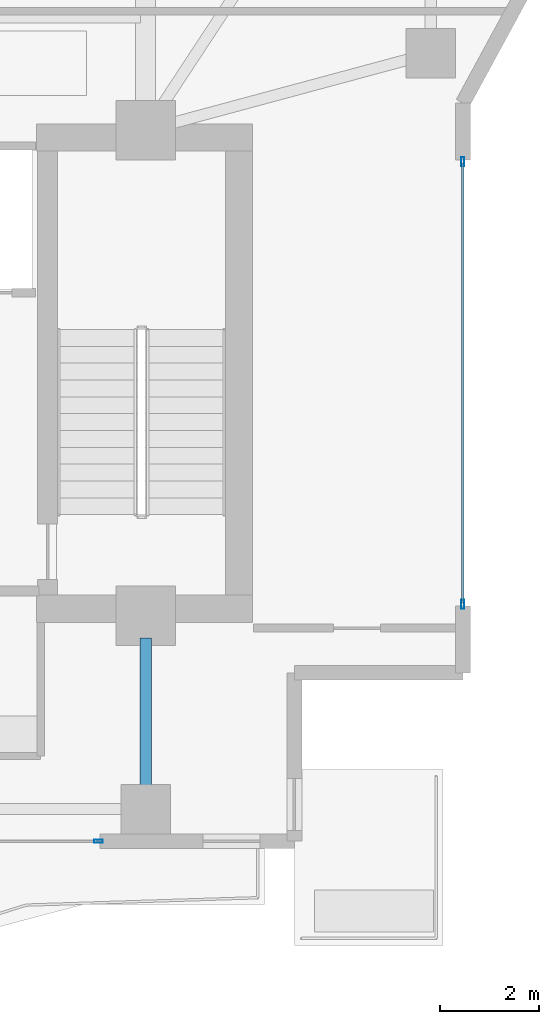
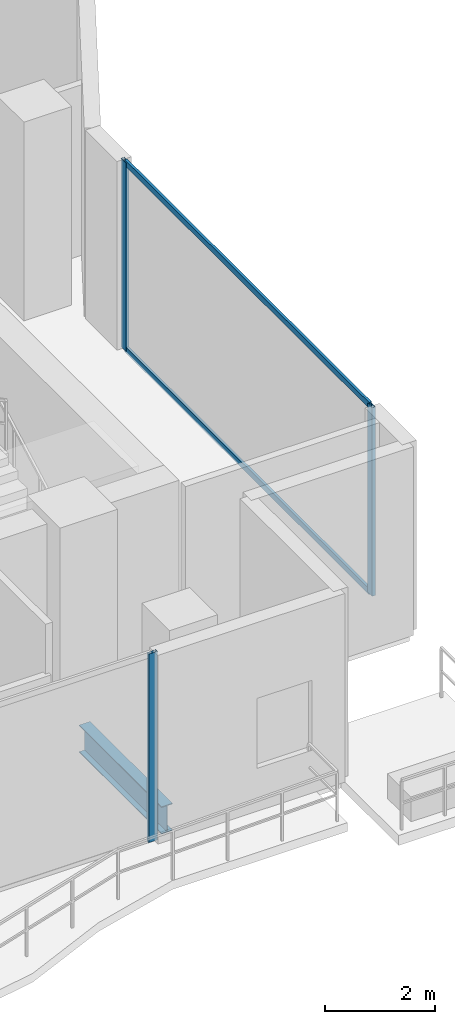
# One storey, part 8 of 23: 5 members, 1 beam, 2 elements without a shape of their own.
"""IFC4 building model written with IfcOpenShell, lengths in metres."""

from ifc_helpers import new_model, si_unit, direction, frame, origin, origin_2d, place, context, subcontext, project, spatial, hollow_rectangle, i_section, extrude, material, layer, layer_set, material_profile, profile_set, type_object, element, aggregate, save


model = new_model("IFC4")

# Units and contexts
model_context = context("Model", 3, precision=1e-05, world=origin(), true_north=direction((0.0, 1.0)))
body_context = subcontext(model_context, "Body", "Model", "MODEL_VIEW")
ifc_project = project(units=[si_unit("LENGTHUNIT", "METRE"), si_unit("AREAUNIT", "SQUARE_METRE"), si_unit("VOLUMEUNIT", "CUBIC_METRE"), si_unit("PLANEANGLEUNIT", "RADIAN"), si_unit("MASSUNIT", "GRAM", prefix="KILO")], contexts=[model_context])

# Site, building, storey
site_placement = place(None, origin())
site = spatial("IfcSite", under=ifc_project, at=site_placement, CompositionType="ELEMENT")
building_placement = place(site_placement, origin())
building = spatial("IfcBuilding", under=site, at=building_placement, Name="Zuhayl Quay Hotel", CompositionType="ELEMENT")
storey_placement = place(building_placement, frame((0.0, 0.0, 288.449951171875)))
storey = spatial("IfcBuildingStorey", under=building, at=storey_placement, Name="L73", CompositionType="ELEMENT", Elevation=288.449951171875)

# Beam
ifc_material_1 = material(Name="Steel ASTM A992 Grade 50", Category="steel")
ifc_material_profile_1 = material_profile(ifc_material_1, i_section(OverallWidth=0.22802734375, OverallDepth=0.60693359375, WebThickness=0.01123046875, FlangeThickness=0.017333984375, at=origin_2d()), Name="W24X76")
ifc_profile_set_1 = profile_set([ifc_material_profile_1], Name="Steel ASTM A992 Grade 50")
beam_type = type_object("IfcBeamType", Name="BM_B3_W24X76", PredefinedType="BEAM", material=ifc_profile_set_1)
beam_placement = place(storey_placement, frame((13.800048828125, 1.110107421875, -0.5234375), z_axis=(0.0, 1.0, 0.0), x_axis=(-1.0, 0.0, 0.0)))
element("IfcBeam", 1, at=beam_placement, inside=storey, type_object=beam_type, Name="L73 Floor Beam FG_S_L73_4", PredefinedType="BEAM", context=body_context, shape_type="SweptSolid", body=[
    extrude(i_section(OverallWidth=0.22802734375, OverallDepth=0.60693359375, WebThickness=0.01123046875, FlangeThickness=0.017333984375, at=origin_2d()), origin(), (0.0, 0.0, 1.0), 2.989990234375),
])

# Curtain wall, members
ifc_material_2 = material(Name="Anodised Aluminium 6063-T6", Category="aluminium")
ifc_layer = layer(ifc_material_2, 0.169921875, Name="Anodised Aluminium 6063-T6", Category="aluminium")
ifc_layer_set = layer_set([ifc_layer], Name="Anodised Aluminium 6063-T6")
curtain_wall_type = type_object("IfcCurtainWallType", Name="CW_SYS_Z4", PredefinedType="USERDEFINED", material=ifc_layer_set)
curtain_wall_1_placement = place(storey_placement, origin())
curtain_wall_1 = element("IfcCurtainWall", 2, at=curtain_wall_1_placement, inside=storey, type_object=curtain_wall_type, Name="L73 Curtain Wall ENV_L73_E14_CW1", ObjectType="UNITISED CURTAIN WALL", PredefinedType="USERDEFINED")
ifc_material_3 = material(Name="Black-anodised aluminium 6063-T6", Category="aluminium")
ifc_material_profile_2 = material_profile(ifc_material_3, hollow_rectangle(XDim=0.06494140625, YDim=0.179931640625, WallThickness=0.00341796875, at=origin_2d()), Name="ALU180X65")
ifc_profile_set_2 = profile_set([ifc_material_profile_2], Name="Black-anodised aluminium 6063-T6")
member_type_1 = type_object("IfcMemberType", Name="MB_CW_MUL_180", PredefinedType="MULLION", material=ifc_profile_set_2)
member_1_placement = place(storey_placement, frame((20.199951171875, 13.717529296875, 0.0), z_axis=(0.0, 0.0, 1.0), x_axis=(1.0, 0.0, 0.0)))
member_1 = element("IfcMember", 3, at=member_1_placement, type_object=member_type_1, Name="CW-Z4 mullion 1", PredefinedType="MULLION", context=body_context, shape_type="SweptSolid", body=[
    extrude(hollow_rectangle(XDim=0.06494140625, YDim=0.179931640625, WallThickness=0.00341796875, at=origin_2d()), origin(), (0.0, 0.0, 1.0), 4.179931640625),
])
member_2_placement = place(storey_placement, frame((20.199951171875, 4.782470703125, 0.0), z_axis=(0.0, 0.0, 1.0), x_axis=(1.0, 0.0, 0.0)))
member_2 = element("IfcMember", 4, at=member_2_placement, type_object=member_type_1, Name="CW-Z4 mullion 2", PredefinedType="MULLION", context=body_context, shape_type="SweptSolid", body=[
    extrude(hollow_rectangle(XDim=0.06494140625, YDim=0.179931640625, WallThickness=0.00341796875, at=origin_2d()), origin(), (0.0, 0.0, 1.0), 4.179931640625),
])

# Curtain wall, member
curtain_wall_2_placement = place(storey_placement, origin())
curtain_wall_2 = element("IfcCurtainWall", 5, at=curtain_wall_2_placement, inside=storey, type_object=curtain_wall_type, Name="L73 Curtain Wall ENV_L73_S_CW1", ObjectType="UNITISED CURTAIN WALL", PredefinedType="USERDEFINED")
member_3_placement = place(storey_placement, frame((12.847412109375, 0.0, 0.0), z_axis=(0.0, 0.0, 1.0), x_axis=(0.0, -1.0, 0.0)))
member_3 = element("IfcMember", 6, at=member_3_placement, type_object=member_type_1, Name="CW-Z4 mullion 1", PredefinedType="MULLION", context=body_context, shape_type="SweptSolid", body=[
    extrude(hollow_rectangle(XDim=0.06494140625, YDim=0.179931640625, WallThickness=0.00341796875, at=origin_2d()), origin(), (0.0, 0.0, 1.0), 4.179931640625),
])
aggregate(curtain_wall_2, [member_3])

# Member
ifc_material_profile_3 = material_profile(ifc_material_3, hollow_rectangle(XDim=0.054931640625, YDim=0.1298828125, WallThickness=0.0029296875, at=origin_2d()), Name="ALU130X55")
ifc_profile_set_3 = profile_set([ifc_material_profile_3], Name="Black-anodised aluminium 6063-T6")
member_type_2 = type_object("IfcMemberType", Name="MB_CW_TRN_130", PredefinedType="USERDEFINED", material=ifc_profile_set_3)
member_4_placement = place(storey_placement, frame((20.199951171875, 13.68505859375, 0.027587890625), z_axis=(0.0, -1.0, 0.0), x_axis=(1.0, 0.0, 0.0)))
member_4 = element("IfcMember", 7, at=member_4_placement, type_object=member_type_2, Name="CW-Z4 transom 1.1", ObjectType="TRANSOM", PredefinedType="USERDEFINED", context=body_context, shape_type="SweptSolid", body=[
    extrude(hollow_rectangle(XDim=0.054931640625, YDim=0.1298828125, WallThickness=0.0029296875, at=origin_2d()), origin(), (0.0, 0.0, 1.0), 8.8701171875),
])

member_5_placement = place(storey_placement, frame((20.199951171875, 13.68505859375, 4.152587890625), z_axis=(0.0, -1.0, 0.0), x_axis=(1.0, 0.0, 0.0)))
member_5 = element("IfcMember", 8, at=member_5_placement, type_object=member_type_2, Name="CW-Z4 transom 1.2", ObjectType="TRANSOM", PredefinedType="USERDEFINED", context=body_context, shape_type="SweptSolid", body=[
    extrude(hollow_rectangle(XDim=0.054931640625, YDim=0.1298828125, WallThickness=0.0029296875, at=origin_2d()), origin(), (0.0, 0.0, 1.0), 8.8701171875),
])

aggregate(curtain_wall_1, [member_1, member_2, member_4, member_5])

save(model, "model.ifc")
